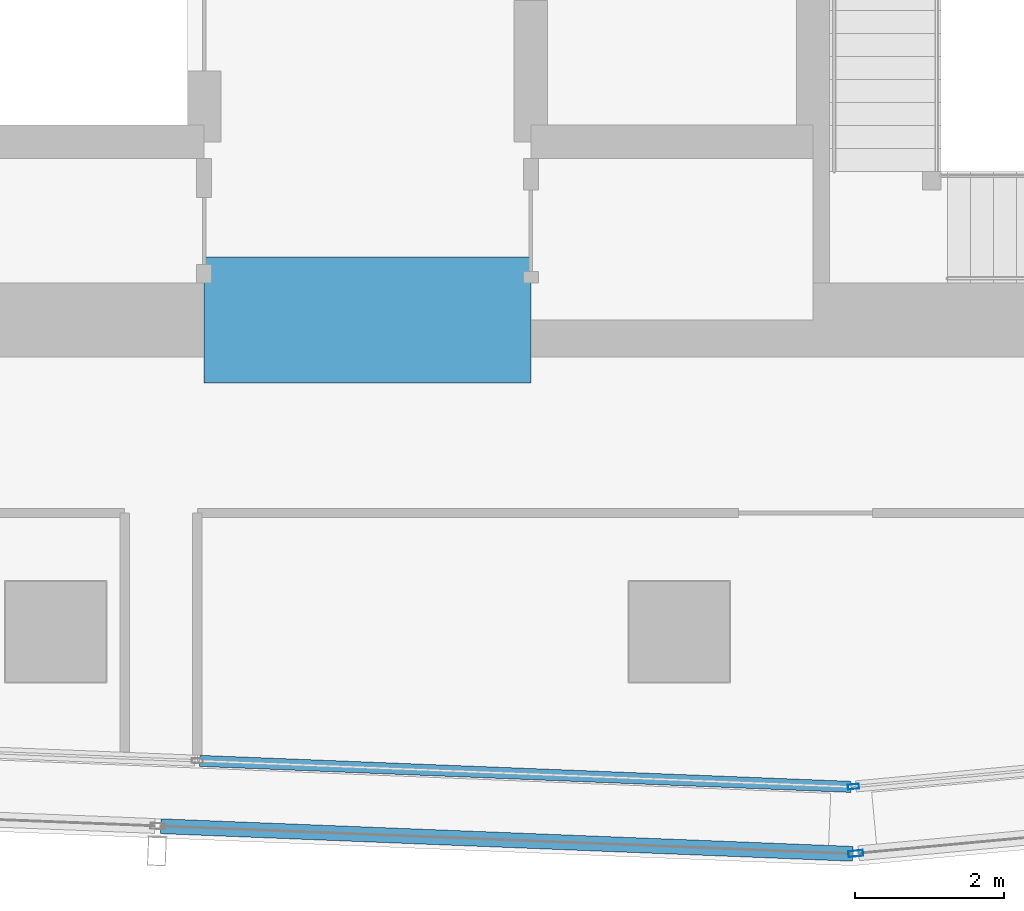
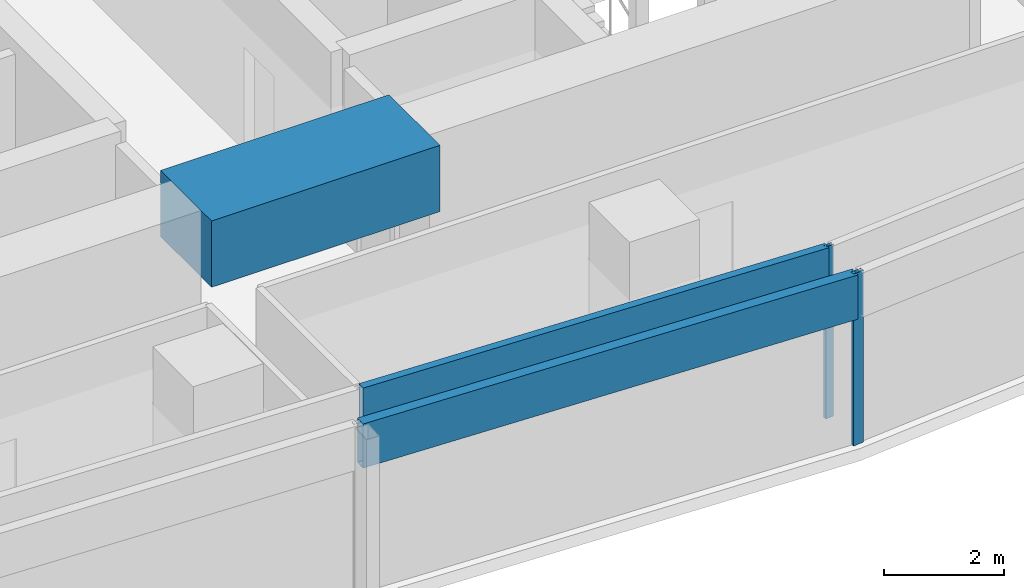
# One storey, part 10 of 38: 4 members, 1 beam, 4 elements without a shape of their own.
"""IFC4 building model written with IfcOpenShell, lengths in metres."""

from ifc_helpers import new_model, si_unit, direction, frame, origin, origin_2d, place, context, subcontext, project, spatial, rectangle, hollow_rectangle, extrude, material, material_profile, profile_set, type_object, element, aggregate, save


model = new_model("IFC4")

# Units and contexts
model_context = context("Model", 3, precision=1e-05, world=origin(), true_north=direction((0.0, 1.0)))
body_context = subcontext(model_context, "Body", "Model", "MODEL_VIEW")
ifc_project = project(units=[si_unit("LENGTHUNIT", "METRE"), si_unit("AREAUNIT", "SQUARE_METRE"), si_unit("VOLUMEUNIT", "CUBIC_METRE"), si_unit("PLANEANGLEUNIT", "RADIAN"), si_unit("MASSUNIT", "GRAM", prefix="KILO")], contexts=[model_context])

# Site, building, storey
site_placement = place(None, origin())
site = spatial("IfcSite", under=ifc_project, at=site_placement, CompositionType="ELEMENT")
building_placement = place(site_placement, origin())
building = spatial("IfcBuilding", under=site, at=building_placement, Name="Rekha Terrace Tower", CompositionType="ELEMENT")
storey_placement = place(building_placement, frame((0.0, 0.0, 202.699951171875)))
storey = spatial("IfcBuildingStorey", under=building, at=storey_placement, Name="L51", CompositionType="ELEMENT", Elevation=202.699951171875)

# Curtain wall, member
ifc_material_1 = material(Name="Aluminium framing", Category="aluminium")
curtain_wall_type_1 = type_object("IfcCurtainWallType", Name="CW1 double skin inner glazing", PredefinedType="USERDEFINED", material=ifc_material_1)
curtain_wall_1_placement = place(storey_placement, origin())
curtain_wall_1 = element("IfcCurtainWall", 1, at=curtain_wall_1_placement, inside=storey, type_object=curtain_wall_type_1, Name="CW1 double skin inner glazing", ObjectType="DOUBLE SKIN INNER GLAZING", PredefinedType="USERDEFINED")
ifc_material_2 = material(Name="Aluminium mullion section", Category="aluminium")
ifc_material_profile_1 = material_profile(ifc_material_2, hollow_rectangle(XDim=0.06494140625, YDim=0.14990234375, WallThickness=0.00390625, at=origin_2d()), Name="AL RHS 65x150")
ifc_profile_set_1 = profile_set([ifc_material_profile_1], Name="Aluminium mullion section")
member_type_1 = type_object("IfcMemberType", Name="CW1 mullion RHS 65 x 150", PredefinedType="MULLION", material=ifc_profile_set_1)
member_1_placement = place(storey_placement, frame((44.34423828125, 14.715087890625, 0.0), z_axis=(0.0, 0.0, 1.0), x_axis=(-0.092708869564, 0.995693258742, 0.0)))
member_1 = element("IfcMember", 2, at=member_1_placement, type_object=member_type_1, Name="CW1 mullion 1", PredefinedType="MULLION", context=body_context, shape_type="SweptSolid", body=[
    extrude(hollow_rectangle(XDim=0.06494140625, YDim=0.14990234375, WallThickness=0.00390625, at=origin_2d()), origin(), (0.0, 0.0, 1.0), 3.5),
])
aggregate(curtain_wall_1, [member_1])

curtain_wall_2_placement = place(storey_placement, origin())
curtain_wall_2 = element("IfcCurtainWall", 3, at=curtain_wall_2_placement, inside=storey, type_object=curtain_wall_type_1, Name="CW1 double skin inner glazing", ObjectType="DOUBLE SKIN INNER GLAZING", PredefinedType="USERDEFINED")
ifc_material_3 = material(Name="Insulated aluminium spandrel box", Category="aluminium")
ifc_material_profile_2 = material_profile(ifc_material_3, hollow_rectangle(XDim=0.14990234375, YDim=0.89990234375, WallThickness=0.0029296875, at=origin_2d()), Name="AL SPANDREL BOX 150x900")
ifc_profile_set_2 = profile_set([ifc_material_profile_2], Name="Insulated aluminium spandrel box")
member_type_2 = type_object("IfcMemberType", Name="CW1 spandrel transom 150 x 900", PredefinedType="USERDEFINED", material=ifc_profile_set_2)
member_2_placement = place(storey_placement, frame((35.5400390625, 15.06201171875, 3.050048828125), z_axis=(0.999204464505, -0.039880297311, 0.0), x_axis=(0.039880297311, 0.999204464505, 0.0)))
member_2 = element("IfcMember", 4, at=member_2_placement, type_object=member_type_2, Name="CW1 spandrel transom 4", ObjectType="TRANSOM", PredefinedType="USERDEFINED", context=body_context, shape_type="SweptSolid", body=[
    extrude(hollow_rectangle(XDim=0.14990234375, YDim=0.89990234375, WallThickness=0.0029296875, at=origin_2d()), origin(), (0.0, 0.0, 1.0), 8.77880859375),
])
aggregate(curtain_wall_2, [member_2])

curtain_wall_type_2 = type_object("IfcCurtainWallType", Name="CW2 double skin outer glazing", PredefinedType="USERDEFINED", material=ifc_material_1)
curtain_wall_3_placement = place(storey_placement, origin())
curtain_wall_3 = element("IfcCurtainWall", 5, at=curtain_wall_3_placement, inside=storey, type_object=curtain_wall_type_2, Name="CW2 double skin outer glazing", ObjectType="DOUBLE SKIN OUTER GLAZING", PredefinedType="USERDEFINED")
ifc_material_profile_3 = material_profile(ifc_material_2, hollow_rectangle(XDim=0.080078125, YDim=0.199951171875, WallThickness=0.00390625, at=origin_2d()), Name="AL RHS 80x200")
ifc_profile_set_3 = profile_set([ifc_material_profile_3], Name="Aluminium mullion section")
member_type_3 = type_object("IfcMemberType", Name="CW2 mullion RHS 80 x 200", PredefinedType="MULLION", material=ifc_profile_set_3)
member_3_placement = place(storey_placement, frame((44.37548828125, 13.81396484375, 0.0), z_axis=(0.0, 0.0, 1.0), x_axis=(-0.092708869512, 0.995693258747, 0.0)))
member_3 = element("IfcMember", 6, at=member_3_placement, type_object=member_type_3, Name="CW2 mullion 1", PredefinedType="MULLION", context=body_context, shape_type="SweptSolid", body=[
    extrude(hollow_rectangle(XDim=0.080078125, YDim=0.199951171875, WallThickness=0.00390625, at=origin_2d()), origin(), (0.0, 0.0, 1.0), 3.5),
])
aggregate(curtain_wall_3, [member_3])

curtain_wall_4_placement = place(storey_placement, origin())
curtain_wall_4 = element("IfcCurtainWall", 7, at=curtain_wall_4_placement, inside=storey, type_object=curtain_wall_type_2, Name="CW2 double skin outer glazing", ObjectType="DOUBLE SKIN OUTER GLAZING", PredefinedType="USERDEFINED")
ifc_material_profile_4 = material_profile(ifc_material_3, hollow_rectangle(XDim=0.199951171875, YDim=0.89990234375, WallThickness=0.0029296875, at=origin_2d()), Name="AL SPANDREL BOX 200x900")
ifc_profile_set_4 = profile_set([ifc_material_profile_4], Name="Insulated aluminium spandrel box")
member_type_4 = type_object("IfcMemberType", Name="CW2 spandrel transom 200 x 900", PredefinedType="USERDEFINED", material=ifc_profile_set_4)
member_4_placement = place(storey_placement, frame((35.01708984375, 14.18212890625, 3.050048828125), z_axis=(0.999204884837, -0.039869764458, 0.0), x_axis=(0.039869764458, 0.999204884837, 0.0)))
member_4 = element("IfcMember", 8, at=member_4_placement, type_object=member_type_4, Name="CW2 spandrel transom 4", ObjectType="TRANSOM", PredefinedType="USERDEFINED", context=body_context, shape_type="SweptSolid", body=[
    extrude(hollow_rectangle(XDim=0.199951171875, YDim=0.89990234375, WallThickness=0.0029296875, at=origin_2d()), origin(), (0.0, 0.0, 1.0), 9.325927734375),
])
aggregate(curtain_wall_4, [member_4])

# Beam
ifc_material_4 = material(Name="Concrete M60", Category="concrete")
ifc_material_profile_5 = material_profile(ifc_material_4, rectangle(XDim=1.699951171875, YDim=1.35009765625, at=origin_2d()), Name="RC 1700x1350")
ifc_profile_set_5 = profile_set([ifc_material_profile_5], Name="Concrete M60")
beam_type = type_object("IfcBeamType", Name="LB3A 1700x1350 diagonally reinforced coupling beam", PredefinedType="LINTEL", material=ifc_profile_set_5)
beam_placement = place(storey_placement, frame((35.60009765625, 21.0, 3.074951171875), z_axis=(1.0, 0.0, 0.0), x_axis=(0.0, 1.0, 0.0)))
element("IfcBeam", 9, at=beam_placement, inside=storey, type_object=beam_type, Name="Coupling beam LB3A S L51", PredefinedType="LINTEL", context=body_context, shape_type="SweptSolid", body=[
    extrude(rectangle(XDim=1.699951171875, YDim=1.35009765625, at=origin_2d()), origin(), (0.0, 0.0, 1.0), 4.39990234375),
])

save(model, "model.ifc")
